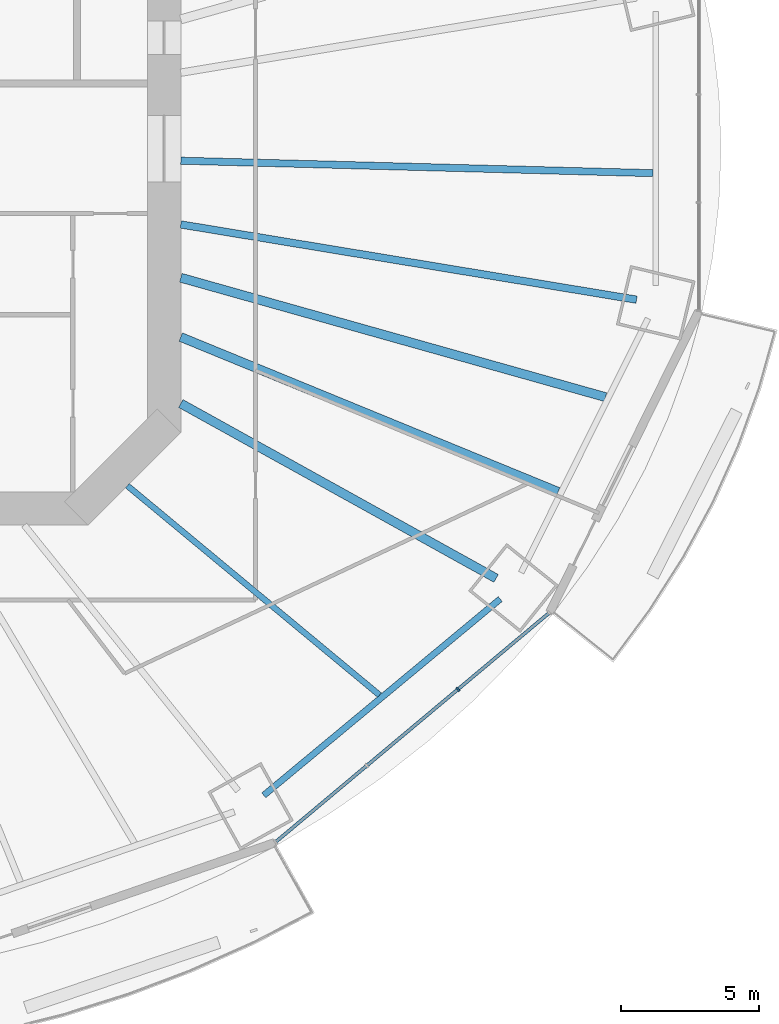
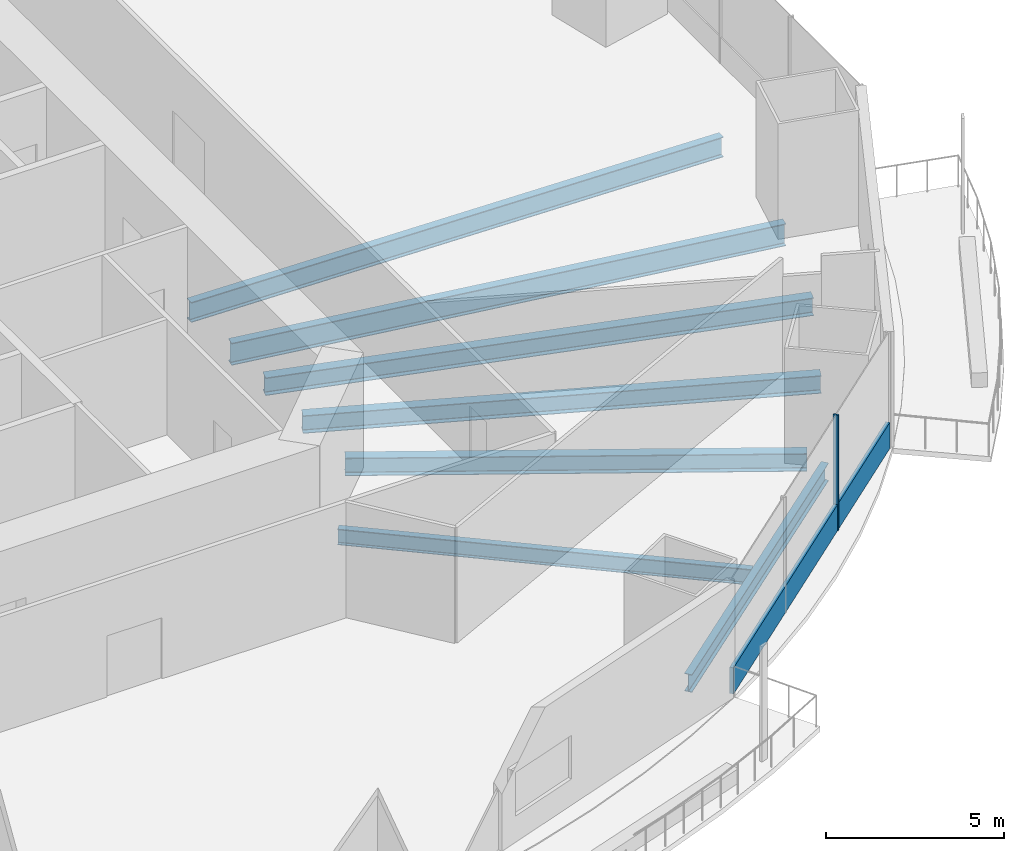
# One storey, part 5 of 23: 7 beams, 2 members, 1 element without a shape of its own.
"""IFC4 building model written with IfcOpenShell, lengths in metres."""

import ifcopenshell
import ifcopenshell.guid

model = None  # the IFC model being written
_history = None  # IfcOwnerHistory: only IFC2X3 demands one
_inside = {}  # id of a spatial element -> (the spatial element, [elements in it])
_under = {}  # id of a project, library or spatial element -> (it, [spatial elements below it])
_declared = {}  # id of a project -> (the project, [libraries it declares])
_typed = {}  # id of a type object -> (the type object, [elements of that type])
_made_of = {}  # id of a material, layer set ... -> (it, [elements and type objects made of it])


def new_model(schema):
    """Start an empty IFC model of exactly this schema.

    Asked for "IFC4X3", IfcOpenShell would pick the latest addendum, in which some entities
    have other attributes; the version numbers below select the first issue.
    IFC2X3 requires an IfcOwnerHistory on every rooted entity: one is made here for all.
    """
    global model, _history
    if schema == "IFC4X3":
        model = ifcopenshell.file(schema_version=(4, 3, 0, 0))
    else:
        model = ifcopenshell.file(schema=schema)
    _inside.clear()
    _under.clear()
    _declared.clear()
    _typed.clear()
    _made_of.clear()
    _history = None
    if model.schema == "IFC2X3":
        org = make("IfcOrganization", Name="unknown")
        user = make(
            "IfcPersonAndOrganization",
            ThePerson=make("IfcPerson", FamilyName="unknown"),
            TheOrganization=org,
        )
        app = make(
            "IfcApplication",
            ApplicationDeveloper=org,
            Version="unknown",
            ApplicationFullName="unknown",
            ApplicationIdentifier="unknown",
        )
        _history = make(
            "IfcOwnerHistory",
            OwningUser=user,
            OwningApplication=app,
            ChangeAction="ADDED",
            CreationDate=0,
        )
    return model


def make(cls, **values):
    """One entity of the class cls with the attributes given. An attribute that is None is left unset."""
    return model.create_entity(
        cls, **{name: value for name, value in values.items() if value is not None}
    )


def rooted(cls, **values):
    """An entity with a GlobalId (a new one), such as an element, a storey or a relation."""
    return make(cls, GlobalId=ifcopenshell.guid.new(), OwnerHistory=_history, **values)


def si_unit(unit_type, name, prefix=None):
    """IfcSIUnit, for example si_unit("LENGTHUNIT", "METRE", prefix="MILLI")."""
    return make("IfcSIUnit", UnitType=unit_type, Prefix=prefix, Name=name)


def assignment(units):
    """IfcUnitAssignment: the units of a project."""
    return None if units is None else make("IfcUnitAssignment", Units=units)


def point(xyz):
    """IfcCartesianPoint."""
    return None if xyz is None else make("IfcCartesianPoint", Coordinates=xyz)


def direction(xyz):
    """IfcDirection."""
    return None if xyz is None else make("IfcDirection", DirectionRatios=xyz)


def frame(location, z_axis=None, x_axis=None):
    """IfcAxis2Placement3D, a coordinate frame: its origin and axes. An axis left out is left unset."""
    return make(
        "IfcAxis2Placement3D",
        Location=point(location),
        Axis=direction(z_axis),
        RefDirection=direction(x_axis),
    )


def frame_2d(location, x_axis=None):
    """IfcAxis2Placement2D, a coordinate frame in the plane: its origin and x axis."""
    return make(
        "IfcAxis2Placement2D", Location=point(location), RefDirection=direction(x_axis)
    )


def origin():
    """The frame at (0, 0, 0) with its axes left unset."""
    return frame((0.0, 0.0, 0.0))


def origin_2d():
    """The frame at (0, 0) in the plane with its x axis left unset."""
    return frame_2d((0.0, 0.0))


def place(relative_to, where):
    """IfcLocalPlacement: puts the frame where relative to a parent placement (None: the world)."""
    return make(
        "IfcLocalPlacement", PlacementRelTo=relative_to, RelativePlacement=where
    )


def context(
    kind, dimensions, precision=None, world=None, true_north=None, identifier=None
):
    """IfcGeometricRepresentationContext, for example the 3D "Model" context."""
    return make(
        "IfcGeometricRepresentationContext",
        ContextIdentifier=identifier,
        ContextType=kind,
        CoordinateSpaceDimension=dimensions,
        Precision=precision,
        WorldCoordinateSystem=world,
        TrueNorth=true_north,
    )


def subcontext(parent, identifier, kind, view, scale=None):
    """IfcGeometricRepresentationSubContext, for example "Body" below "Model"."""
    return make(
        "IfcGeometricRepresentationSubContext",
        ContextIdentifier=identifier,
        ContextType=kind,
        ParentContext=parent,
        TargetScale=scale,
        TargetView=view,
    )


def project(units=None, contexts=None):
    """IfcProject with its units and contexts."""
    return rooted(
        "IfcProject",
        Name="project",
        RepresentationContexts=contexts,
        UnitsInContext=assignment(units),
    )


def spatial(cls, under=None, at=None, **own):
    """A site, building, storey or space (cls), placed at a placement, below another one or the project."""
    s = rooted(cls, ObjectPlacement=at, **own)
    if under is not None:
        _under.setdefault(under.id(), (under, []))[1].append(s)
    return s


def profile(cls, at=None, kind="AREA", **sizes):
    """A parametric profile (cls). Its sizes go by their IFC names, for example OverallWidth=200.0."""
    return make(cls, ProfileType=kind, Position=at, **sizes)


def rectangle(**sizes):
    """IfcRectangleProfileDef."""
    return profile("IfcRectangleProfileDef", **sizes)


def i_section(**sizes):
    """IfcIShapeProfileDef."""
    return profile("IfcIShapeProfileDef", **sizes)


def extrude(swept, where, along, depth):
    """IfcExtrudedAreaSolid: the profile swept, set in the frame where, extruded along a direction by depth."""
    return make(
        "IfcExtrudedAreaSolid",
        SweptArea=swept,
        Position=where,
        ExtrudedDirection=direction(along),
        Depth=depth,
    )


def shape(context_of_items, identifier, shape_type, items):
    """IfcShapeRepresentation: the items that make up one representation, for example the "Body"."""
    return make(
        "IfcShapeRepresentation",
        ContextOfItems=context_of_items,
        RepresentationIdentifier=identifier,
        RepresentationType=shape_type,
        Items=items,
    )


def material(Name=None, Category=None):
    """IfcMaterial."""
    return make("IfcMaterial", Name=Name, Category=Category)


def material_profile(
    of_material, cross_section, Name=None, Category=None, Priority=None
):
    """IfcMaterialProfile: a cross section and its material."""
    return make(
        "IfcMaterialProfile",
        Name=Name,
        Material=of_material,
        Profile=cross_section,
        Priority=Priority,
        Category=Category,
    )


def profile_set(profiles, Name=None, composite=None):
    """IfcMaterialProfileSet."""
    return make(
        "IfcMaterialProfileSet",
        Name=Name,
        MaterialProfiles=profiles,
        CompositeProfile=composite,
    )


def made_of(thing, what):
    """Note that an element or type object is made of a material, layer set ...; save() writes the relation."""
    if what is not None:
        _made_of.setdefault(what.id(), (what, []))[1].append(thing)
    return thing


def type_object(cls, material=None, **own):
    """A type object (cls), such as IfcWallType, which elements share."""
    return made_of(rooted(cls, **own), material)


def element(
    cls,
    number,
    at=None,
    inside=None,
    cuts=None,
    type_object=None,
    material=None,
    context=None,
    identifier="Body",
    shape_type=None,
    held_by="IfcProductDefinitionShape",
    body=None,
    shapes=None,
    **own,
):
    """One element of the class cls, such as IfcWall. Its Tag is "e" and its number.

    at: its placement. inside: the storey or other place that contains it. cuts: it is an
    opening in that element (IfcRelVoidsElement). A single representation is given by context,
    identifier, shape_type and body (its items); several are given by shapes. held_by: the class
    of the entity that holds the representations. save() writes the other relations.
    """
    e = rooted(cls, Tag="e%d" % number, ObjectPlacement=at, **own)
    if body is not None:
        shapes = [shape(context, identifier, shape_type, body)]
    if shapes is not None:
        e.Representation = make(held_by, Representations=shapes)
    if inside is not None:
        _inside.setdefault(inside.id(), (inside, []))[1].append(e)
    if cuts is not None:
        rooted(
            "IfcRelVoidsElement", RelatingBuildingElement=cuts, RelatedOpeningElement=e
        )
    if type_object is not None:
        _typed.setdefault(type_object.id(), (type_object, []))[1].append(e)
    return made_of(e, material)


def aggregate(whole, parts):
    """IfcRelAggregates: a whole, such as a stair, and the parts it consists of."""
    return rooted("IfcRelAggregates", RelatingObject=whole, RelatedObjects=parts)


def save(model, path):
    """Write the relations noted so far, then the file.

    IfcRelAggregates (storeys below a building ...), IfcRelContainedInSpatialStructure (elements
    in a storey), IfcRelDefinesByType, IfcRelAssociatesMaterial and IfcRelDeclares: one each for
    every whole, place, type object, material and project.
    """
    for whole, parts in _under.values():
        aggregate(whole, parts)
    for where, things in _inside.values():
        rooted(
            "IfcRelContainedInSpatialStructure",
            RelatedElements=things,
            RelatingStructure=where,
        )
    for kind, things in _typed.values():
        rooted("IfcRelDefinesByType", RelatedObjects=things, RelatingType=kind)
    for what, things in _made_of.values():
        rooted("IfcRelAssociatesMaterial", RelatedObjects=things, RelatingMaterial=what)
    for by, libraries in _declared.values():
        rooted("IfcRelDeclares", RelatingContext=by, RelatedDefinitions=libraries)
    model.write(path)


model = new_model("IFC4")

# Units and contexts
model_context = context("Model", 3, precision=1e-05, world=origin(), true_north=direction((0.0, 1.0)))
body_context = subcontext(model_context, "Body", "Model", "MODEL_VIEW")
ifc_project = project(units=[si_unit("LENGTHUNIT", "METRE"), si_unit("AREAUNIT", "SQUARE_METRE"), si_unit("VOLUMEUNIT", "CUBIC_METRE"), si_unit("PLANEANGLEUNIT", "RADIAN"), si_unit("MASSUNIT", "GRAM", prefix="KILO")], contexts=[model_context])

# Site, building, storey
site_placement = place(None, origin())
site = spatial("IfcSite", under=ifc_project, at=site_placement, CompositionType="ELEMENT")
building_placement = place(site_placement, origin())
building = spatial("IfcBuilding", under=site, at=building_placement, Name="Marenthal Gate Tower", CompositionType="ELEMENT")
storey_placement = place(building_placement, frame((0.0, 0.0, 57.89990234375)))
storey = spatial("IfcBuildingStorey", under=building, at=storey_placement, Name="L10", CompositionType="ELEMENT", Elevation=57.89990234375)

# Curtain wall, members
ifc_material_1 = material(Name="Aluminium and glass", Category="aluminium")
curtain_wall_type = type_object("IfcCurtainWallType", Name="Curtain wall typical low", PredefinedType="NOTDEFINED", material=ifc_material_1)
curtain_wall_placement = place(storey_placement, origin())
curtain_wall = element("IfcCurtainWall", 1, at=curtain_wall_placement, inside=storey, type_object=curtain_wall_type, Name="Curtain wall L10 bay 14", PredefinedType="NOTDEFINED")
ifc_material_2 = material(Name="Aluminium", Category="aluminium")
ifc_material_profile_1 = material_profile(ifc_material_2, rectangle(XDim=0.159912109375, YDim=0.06005859375, at=origin_2d()), Name="60x160 aluminium mullion")
ifc_profile_set_1 = profile_set([ifc_material_profile_1], Name="Aluminium")
member_type_1 = type_object("IfcMemberType", Name="Mullion 60x160 typical low", PredefinedType="MULLION", material=ifc_profile_set_1)
member_1_placement = place(storey_placement, frame((26.61083984375, -19.529052734375, 0.0), z_axis=(0.0, 0.0, 1.0), x_axis=(-0.642111737517, 0.766611059497, 0.0)))
member_1 = element("IfcMember", 2, at=member_1_placement, type_object=member_type_1, Name="Mullion L10 bay 14.3", PredefinedType="MULLION", context=body_context, shape_type="SweptSolid", body=[
    extrude(rectangle(XDim=0.159912109375, YDim=0.06005859375, at=origin_2d()), origin(), (0.0, 0.0, 1.0), 3.97021484375),
])
ifc_material_3 = material(Name="Aluminium", Category="aluminium")
ifc_material_profile_2 = material_profile(ifc_material_3, rectangle(XDim=0.1201171875, YDim=0.89990234375, at=origin_2d()), Name="120x900 aluminium transom")
ifc_profile_set_2 = profile_set([ifc_material_profile_2], Name="Aluminium")
member_type_2 = type_object("IfcMemberType", Name="Transom 120x900 typical low", PredefinedType="USERDEFINED", material=ifc_profile_set_2)
member_2_placement = place(storey_placement, frame((20.043701171875, -25.029541015625, 0.4501953125), z_axis=(0.766611330769, 0.642111413648, 0.0), x_axis=(-0.642111413648, 0.766611330769, 0.0)))
member_2 = element("IfcMember", 3, at=member_2_placement, type_object=member_type_2, Name="Transom L10 bay 14", ObjectType="TRANSOM", PredefinedType="USERDEFINED", context=body_context, shape_type="SweptSolid", body=[
    extrude(rectangle(XDim=0.1201171875, YDim=0.89990234375, at=origin_2d()), origin(), (0.0, 0.0, 1.0), 12.83447265625),
])
aggregate(curtain_wall, [member_1, member_2])

# Beams
ifc_material_4 = material(Name="Steel S355", Category="steel")
ifc_material_profile_3 = material_profile(ifc_material_4, i_section(OverallWidth=0.2119140625, OverallDepth=0.5439453125, WebThickness=0.01318359375, FlangeThickness=0.021240234375, FilletRadius=0.0126953125, at=origin_2d()), Name="W530X123")
ifc_profile_set_3 = profile_set([ifc_material_profile_3], Name="Steel S355")
beam_type_1 = type_object("IfcBeamType", Name="W530X123 beam", PredefinedType="BEAM", material=ifc_profile_set_3)
beam_1_placement = place(storey_placement, frame((23.77783203125, -19.73876953125, -0.451904296875), z_axis=(-0.769432069778, 0.638728651304, 0.0), x_axis=(-0.638728651304, -0.769432069778, 0.0)))
element("IfcBeam", 4, at=beam_1_placement, inside=storey, type_object=beam_type_1, Name="BM-L10-37", PredefinedType="BEAM", context=body_context, shape_type="SweptSolid", body=[
    extrude(i_section(OverallWidth=0.2119140625, OverallDepth=0.5439453125, WebThickness=0.01318359375, FlangeThickness=0.021240234375, FilletRadius=0.0126953125, at=origin_2d()), origin(), (0.0, 0.0, 1.0), 11.8369140625),
])
ifc_material_5 = material(Name="Steel S355", Category="steel")
ifc_material_profile_4 = material_profile(ifc_material_5, i_section(OverallWidth=0.22900390625, OverallDepth=0.612060546875, WebThickness=0.011962890625, FlangeThickness=0.01953125, FilletRadius=0.0126953125, at=origin_2d()), Name="W610X125")
ifc_profile_set_4 = profile_set([ifc_material_profile_4], Name="Steel S355")
beam_type_2 = type_object("IfcBeamType", Name="W610X125 beam", PredefinedType="BEAM", material=ifc_profile_set_4)
beam_2_placement = place(storey_placement, frame((19.596435546875, -23.358642578125, -0.48583984375), z_axis=(0.769424366687, 0.63873793057, 0.0), x_axis=(-0.63873793057, 0.769424366687, 0.0)))
element("IfcBeam", 5, at=beam_2_placement, inside=storey, type_object=beam_type_2, Name="BM-L10-54", PredefinedType="BEAM", context=body_context, shape_type="SweptSolid", body=[
    extrude(i_section(OverallWidth=0.22900390625, OverallDepth=0.612060546875, WebThickness=0.011962890625, FlangeThickness=0.01953125, FilletRadius=0.0126953125, at=origin_2d()), origin(), (0.0, 0.0, 1.0), 11.0986328125),
])
ifc_material_6 = material(Name="Steel S355", Category="steel")
ifc_material_profile_5 = material_profile(ifc_material_6, i_section(OverallWidth=0.324951171875, OverallDepth=0.612060546875, WebThickness=0.0126953125, FlangeThickness=0.01904296875, FilletRadius=0.0126953125, at=origin_2d()), Name="W610X155")
ifc_profile_set_5 = profile_set([ifc_material_profile_5], Name="Steel S355")
beam_type_3 = type_object("IfcBeamType", Name="W610X155 beam", PredefinedType="BEAM", material=ifc_profile_set_5)
beam_3_placement = place(storey_placement, frame((27.9873046875, -15.52392578125, -0.48583984375), z_axis=(-0.874477229212, 0.485066568204, 0.0), x_axis=(-0.485066568204, -0.874477229212, 0.0)))
element("IfcBeam", 6, at=beam_3_placement, inside=storey, type_object=beam_type_3, Name="BM-L10-15", PredefinedType="BEAM", context=body_context, shape_type="SweptSolid", body=[
    extrude(i_section(OverallWidth=0.324951171875, OverallDepth=0.612060546875, WebThickness=0.0126953125, FlangeThickness=0.01904296875, FilletRadius=0.0126953125, at=origin_2d()), origin(), (0.0, 0.0, 1.0), 13.021728515625),
])
beam_4_placement = place(storey_placement, frame((30.2294921875, -12.39892578125, -0.48583984375), z_axis=(-0.925197564596, 0.379485792178, 0.0), x_axis=(-0.379485792178, -0.925197564596, 0.0)))
element("IfcBeam", 7, at=beam_4_placement, inside=storey, type_object=beam_type_3, Name="BM-L10-38", PredefinedType="BEAM", context=body_context, shape_type="SweptSolid", body=[
    extrude(i_section(OverallWidth=0.324951171875, OverallDepth=0.612060546875, WebThickness=0.0126953125, FlangeThickness=0.01904296875, FilletRadius=0.0126953125, at=origin_2d()), origin(), (0.0, 0.0, 1.0), 14.7314453125),
])
beam_5_placement = place(storey_placement, frame((31.93701171875, -8.977294921875, -0.48583984375), z_axis=(-0.962687377479, 0.270615988521, 0.0), x_axis=(-0.270615988521, -0.962687377479, 0.0)))
element("IfcBeam", 8, at=beam_5_placement, inside=storey, type_object=beam_type_3, Name="BM-L10-39", PredefinedType="BEAM", context=body_context, shape_type="SweptSolid", body=[
    extrude(i_section(OverallWidth=0.324951171875, OverallDepth=0.612060546875, WebThickness=0.0126953125, FlangeThickness=0.01904296875, FilletRadius=0.0126953125, at=origin_2d()), origin(), (0.0, 0.0, 1.0), 15.931396484375),
])
ifc_material_7 = material(Name="Steel S355", Category="steel")
ifc_material_profile_6 = material_profile(ifc_material_7, i_section(OverallWidth=0.257080078125, OverallDepth=0.693115234375, WebThickness=0.014404296875, FlangeThickness=0.023681640625, FilletRadius=0.015380859375, at=origin_2d()), Name="W690X170")
ifc_profile_set_6 = profile_set([ifc_material_profile_6], Name="Steel S355")
beam_type_4 = type_object("IfcBeamType", Name="W690X170 beam", PredefinedType="BEAM", material=ifc_profile_set_6)
beam_6_placement = place(storey_placement, frame((33.647705078125, -0.888916015625, -0.5263671875), z_axis=(-0.999651487797, 0.026398919379, 0.0), x_axis=(-0.026398919379, -0.999651487797, 0.0)))
element("IfcBeam", 9, at=beam_6_placement, inside=storey, type_object=beam_type_4, Name="BM-L10-40", PredefinedType="BEAM", context=body_context, shape_type="SweptSolid", body=[
    extrude(i_section(OverallWidth=0.257080078125, OverallDepth=0.693115234375, WebThickness=0.014404296875, FlangeThickness=0.023681640625, FilletRadius=0.015380859375, at=origin_2d()), origin(), (0.0, 0.0, 1.0), 17.053466796875),
])
ifc_material_8 = material(Name="Steel S355", Category="steel")
ifc_material_profile_7 = material_profile(ifc_material_8, i_section(OverallWidth=0.26708984375, OverallDepth=0.761962890625, WebThickness=0.014404296875, FlangeThickness=0.021484375, FilletRadius=0.0166015625, at=origin_2d()), Name="W760X173")
ifc_profile_set_7 = profile_set([ifc_material_profile_7], Name="Steel S355")
beam_type_5 = type_object("IfcBeamType", Name="W760X173 beam", PredefinedType="BEAM", material=ifc_profile_set_7)
beam_7_placement = place(storey_placement, frame((33.06005859375, -5.458984375, -0.560791015625), z_axis=(-0.986638832435, 0.16292272503, 0.0), x_axis=(-0.16292272503, -0.986638832435, 0.0)))
element("IfcBeam", 10, at=beam_7_placement, inside=storey, type_object=beam_type_5, Name="BM-L10-16", PredefinedType="BEAM", context=body_context, shape_type="SweptSolid", body=[
    extrude(i_section(OverallWidth=0.26708984375, OverallDepth=0.761962890625, WebThickness=0.014404296875, FlangeThickness=0.021484375, FilletRadius=0.0166015625, at=origin_2d()), origin(), (0.0, 0.0, 1.0), 16.682861328125),
])

save(model, "model.ifc")
